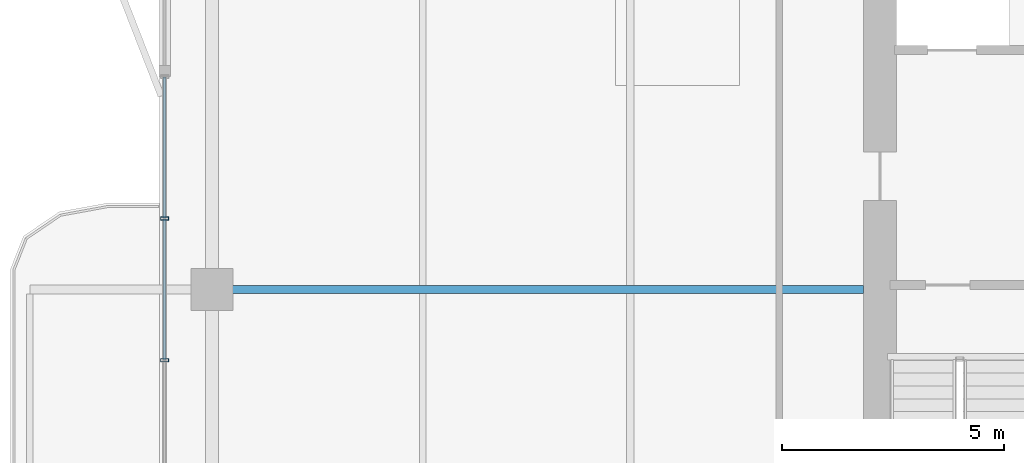
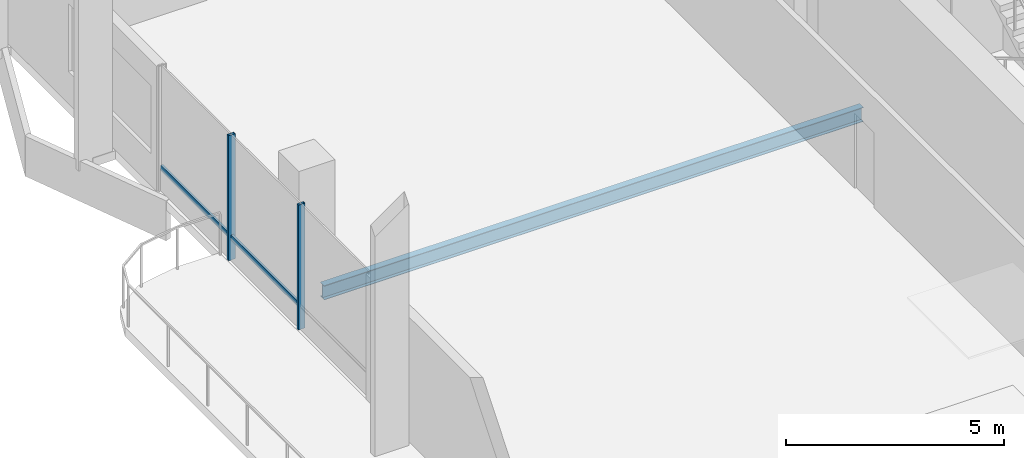
# One storey, part 6 of 25: 4 members, 1 beam, 1 element without a shape of its own.
"""IFC4 building model written with IfcOpenShell, lengths in metres."""

from ifc_helpers import new_model, si_unit, direction, frame, origin, origin_2d, place, context, subcontext, project, spatial, hollow_rectangle, i_section, extrude, material, layer, layer_set, material_profile, profile_set, type_object, element, aggregate, save


model = new_model("IFC4")

# Units and contexts
model_context = context("Model", 3, precision=1e-05, world=origin(), true_north=direction((0.0, 1.0)))
body_context = subcontext(model_context, "Body", "Model", "MODEL_VIEW")
ifc_project = project(units=[si_unit("LENGTHUNIT", "METRE"), si_unit("AREAUNIT", "SQUARE_METRE"), si_unit("VOLUMEUNIT", "CUBIC_METRE"), si_unit("PLANEANGLEUNIT", "RADIAN"), si_unit("MASSUNIT", "GRAM", prefix="KILO")], contexts=[model_context])

# Site, building, storey
site_placement = place(None, origin())
site = spatial("IfcSite", under=ifc_project, at=site_placement, CompositionType="ELEMENT")
building_placement = place(site_placement, origin())
building = spatial("IfcBuilding", under=site, at=building_placement, Name="Belovzor Exchange Tower", CompositionType="ELEMENT")
storey_placement = place(building_placement, frame((0.0, 0.0, 250.35009765625)))
storey = spatial("IfcBuildingStorey", under=building, at=storey_placement, Name="L62", CompositionType="ELEMENT", Elevation=250.35009765625)

# Curtain wall, members
ifc_material_1 = material(Name="Anodised Aluminium Framing", Category="aluminium")
ifc_layer = layer(ifc_material_1, 0.179931640625)
ifc_layer_set = layer_set([ifc_layer], Name="Anodised Aluminium Framing")
curtain_wall_type = type_object("IfcCurtainWallType", Name="Recessed Loggia Low-Iron Triple-Glazed Curtain Wall", PredefinedType="NOTDEFINED", material=ifc_layer_set)
curtain_wall_placement = place(storey_placement, origin())
curtain_wall = element("IfcCurtainWall", 1, at=curtain_wall_placement, inside=storey, type_object=curtain_wall_type, Name="CW3 Recessed Loggia Low-Iron Triple-Glazed Curtain Wall L62", PredefinedType="NOTDEFINED")
ifc_material_2 = material(Name="Steel S355", Category="steel")
ifc_material_profile_1 = material_profile(ifc_material_2, hollow_rectangle(XDim=0.074951171875, YDim=0.179931640625, WallThickness=0.0048828125, at=origin_2d()))
ifc_profile_set_1 = profile_set([ifc_material_profile_1], Name="Steel S355")
member_type_1 = type_object("IfcMemberType", Name="Thermally Broken Curtain Wall Mullion 180x75", PredefinedType="MULLION", material=ifc_profile_set_1)
member_1_placement = place(storey_placement, frame((4.030029296875, 27.199951171875, 0.0), z_axis=(0.0, 0.0, 1.0), x_axis=(0.0, 1.0, 0.0)))
member_1 = element("IfcMember", 2, at=member_1_placement, type_object=member_type_1, Name="CW-M180 Curtain Wall Mullion 2", PredefinedType="MULLION", context=body_context, shape_type="SweptSolid", body=[
    extrude(hollow_rectangle(XDim=0.074951171875, YDim=0.179931640625, WallThickness=0.0048828125, at=origin_2d()), origin(), (0.0, 0.0, 1.0), 3.5),
])
member_2_placement = place(storey_placement, frame((4.030029296875, 30.39990234375, 0.0), z_axis=(0.0, 0.0, 1.0), x_axis=(0.0, 1.0, 0.0)))
member_2 = element("IfcMember", 3, at=member_2_placement, type_object=member_type_1, Name="CW-M180 Curtain Wall Mullion 3", PredefinedType="MULLION", context=body_context, shape_type="SweptSolid", body=[
    extrude(hollow_rectangle(XDim=0.074951171875, YDim=0.179931640625, WallThickness=0.0048828125, at=origin_2d()), origin(), (0.0, 0.0, 1.0), 3.5),
])
ifc_material_3 = material(Name="Steel S355", Category="steel")
ifc_material_profile_2 = material_profile(ifc_material_3, hollow_rectangle(XDim=0.06005859375, YDim=0.14990234375, WallThickness=0.00390625, at=origin_2d()))
ifc_profile_set_2 = profile_set([ifc_material_profile_2], Name="Steel S355")
member_type_2 = type_object("IfcMemberType", Name="Thermally Broken Curtain Wall Transom 150x60", PredefinedType="USERDEFINED", material=ifc_profile_set_2)
member_3_placement = place(storey_placement, frame((4.030029296875, 27.2080078125, 0.6298828125), z_axis=(0.0, 1.0, 0.0), x_axis=(-1.0, 0.0, 0.0)))
member_3 = element("IfcMember", 4, at=member_3_placement, type_object=member_type_2, Name="CW-T150 Curtain Wall Transom 2", ObjectType="TRANSOM", PredefinedType="USERDEFINED", context=body_context, shape_type="SweptSolid", body=[
    extrude(hollow_rectangle(XDim=0.06005859375, YDim=0.14990234375, WallThickness=0.00390625, at=origin_2d()), origin(), (0.0, 0.0, 1.0), 3.18408203125),
])
member_4_placement = place(storey_placement, frame((4.030029296875, 30.407958984375, 0.6298828125), z_axis=(0.0, 1.0, 0.0), x_axis=(-1.0, 0.0, 0.0)))
member_4 = element("IfcMember", 5, at=member_4_placement, type_object=member_type_2, Name="CW-T150 Curtain Wall Transom 3", ObjectType="TRANSOM", PredefinedType="USERDEFINED", context=body_context, shape_type="SweptSolid", body=[
    extrude(hollow_rectangle(XDim=0.06005859375, YDim=0.14990234375, WallThickness=0.00390625, at=origin_2d()), origin(), (0.0, 0.0, 1.0), 3.18408203125),
])
aggregate(curtain_wall, [member_1, member_2, member_3, member_4])

# Beam
ifc_material_4 = material(Name="Steel S355", Category="steel")
ifc_material_profile_3 = material_profile(ifc_material_4, i_section(OverallWidth=0.179931640625, OverallDepth=0.39990234375, WebThickness=0.008544921875, FlangeThickness=0.013427734375, at=origin_2d()))
ifc_profile_set_3 = profile_set([ifc_material_profile_3], Name="Steel S355")
beam_type = type_object("IfcBeamType", Name="Zone 5-6 Radial Composite Floor Beam IPE 400", PredefinedType="BEAM", material=ifc_profile_set_3)
beam_placement = place(storey_placement, frame((19.800048828125, 28.800048828125, -0.4501953125), z_axis=(-1.0, 0.0, 0.0), x_axis=(0.0, -1.0, 0.0)))
element("IfcBeam", 6, at=beam_placement, inside=storey, type_object=beam_type, Name="FB-400 Zone 5-6 Radial Composite Floor Beam IPE 400", PredefinedType="BEAM", context=body_context, shape_type="SweptSolid", body=[
    extrude(i_section(OverallWidth=0.179931640625, OverallDepth=0.39990234375, WebThickness=0.008544921875, FlangeThickness=0.013427734375, at=origin_2d()), origin(), (0.0, 0.0, 1.0), 14.281982421875),
])

save(model, "model.ifc")
